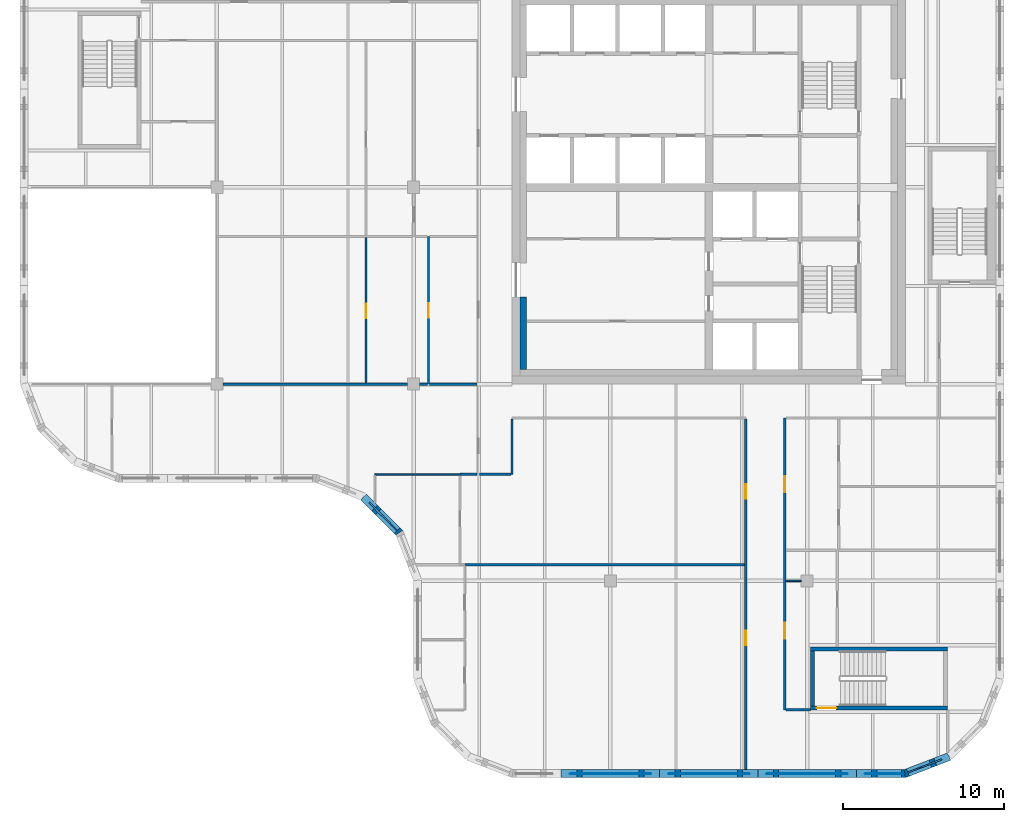
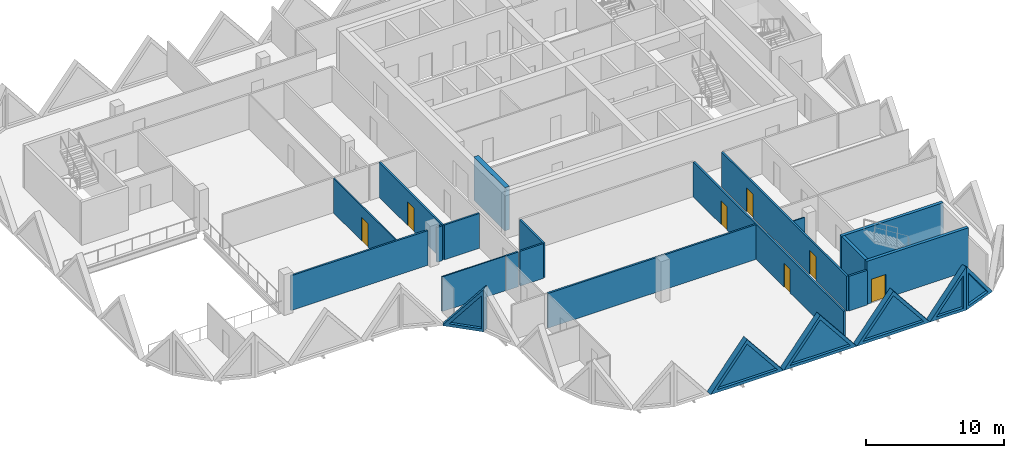
# One storey, part 4 of 11: 24 walls, 7 doors, 6 plates, 13 openings.
"""IFC4 building model written with IfcOpenShell, lengths in metres."""

import ifcopenshell
import ifcopenshell.guid

model = None  # the IFC model being written
_history = None  # IfcOwnerHistory: only IFC2X3 demands one
_inside = {}  # id of a spatial element -> (the spatial element, [elements in it])
_under = {}  # id of a project, library or spatial element -> (it, [spatial elements below it])
_declared = {}  # id of a project -> (the project, [libraries it declares])
_typed = {}  # id of a type object -> (the type object, [elements of that type])
_made_of = {}  # id of a material, layer set ... -> (it, [elements and type objects made of it])


def new_model(schema):
    """Start an empty IFC model of exactly this schema.

    Asked for "IFC4X3", IfcOpenShell would pick the latest addendum, in which some entities
    have other attributes; the version numbers below select the first issue.
    IFC2X3 requires an IfcOwnerHistory on every rooted entity: one is made here for all.
    """
    global model, _history
    if schema == "IFC4X3":
        model = ifcopenshell.file(schema_version=(4, 3, 0, 0))
    else:
        model = ifcopenshell.file(schema=schema)
    _inside.clear()
    _under.clear()
    _declared.clear()
    _typed.clear()
    _made_of.clear()
    _history = None
    if model.schema == "IFC2X3":
        org = make("IfcOrganization", Name="unknown")
        user = make(
            "IfcPersonAndOrganization",
            ThePerson=make("IfcPerson", FamilyName="unknown"),
            TheOrganization=org,
        )
        app = make(
            "IfcApplication",
            ApplicationDeveloper=org,
            Version="unknown",
            ApplicationFullName="unknown",
            ApplicationIdentifier="unknown",
        )
        _history = make(
            "IfcOwnerHistory",
            OwningUser=user,
            OwningApplication=app,
            ChangeAction="ADDED",
            CreationDate=0,
        )
    return model


def make(cls, **values):
    """One entity of the class cls with the attributes given. An attribute that is None is left unset."""
    return model.create_entity(
        cls, **{name: value for name, value in values.items() if value is not None}
    )


def rooted(cls, **values):
    """An entity with a GlobalId (a new one), such as an element, a storey or a relation."""
    return make(cls, GlobalId=ifcopenshell.guid.new(), OwnerHistory=_history, **values)


def si_unit(unit_type, name, prefix=None):
    """IfcSIUnit, for example si_unit("LENGTHUNIT", "METRE", prefix="MILLI")."""
    return make("IfcSIUnit", UnitType=unit_type, Prefix=prefix, Name=name)


def assignment(units):
    """IfcUnitAssignment: the units of a project."""
    return None if units is None else make("IfcUnitAssignment", Units=units)


def point(xyz):
    """IfcCartesianPoint."""
    return None if xyz is None else make("IfcCartesianPoint", Coordinates=xyz)


def direction(xyz):
    """IfcDirection."""
    return None if xyz is None else make("IfcDirection", DirectionRatios=xyz)


def frame(location, z_axis=None, x_axis=None):
    """IfcAxis2Placement3D, a coordinate frame: its origin and axes. An axis left out is left unset."""
    return make(
        "IfcAxis2Placement3D",
        Location=point(location),
        Axis=direction(z_axis),
        RefDirection=direction(x_axis),
    )


def frame_2d(location, x_axis=None):
    """IfcAxis2Placement2D, a coordinate frame in the plane: its origin and x axis."""
    return make(
        "IfcAxis2Placement2D", Location=point(location), RefDirection=direction(x_axis)
    )


def origin():
    """The frame at (0, 0, 0) with its axes left unset."""
    return frame((0.0, 0.0, 0.0))


def place(relative_to, where):
    """IfcLocalPlacement: puts the frame where relative to a parent placement (None: the world)."""
    return make(
        "IfcLocalPlacement", PlacementRelTo=relative_to, RelativePlacement=where
    )


def context(
    kind, dimensions, precision=None, world=None, true_north=None, identifier=None
):
    """IfcGeometricRepresentationContext, for example the 3D "Model" context."""
    return make(
        "IfcGeometricRepresentationContext",
        ContextIdentifier=identifier,
        ContextType=kind,
        CoordinateSpaceDimension=dimensions,
        Precision=precision,
        WorldCoordinateSystem=world,
        TrueNorth=true_north,
    )


def subcontext(parent, identifier, kind, view, scale=None):
    """IfcGeometricRepresentationSubContext, for example "Body" below "Model"."""
    return make(
        "IfcGeometricRepresentationSubContext",
        ContextIdentifier=identifier,
        ContextType=kind,
        ParentContext=parent,
        TargetScale=scale,
        TargetView=view,
    )


def project(units=None, contexts=None):
    """IfcProject with its units and contexts."""
    return rooted(
        "IfcProject",
        Name="project",
        RepresentationContexts=contexts,
        UnitsInContext=assignment(units),
    )


def spatial(cls, under=None, at=None, **own):
    """A site, building, storey or space (cls), placed at a placement, below another one or the project."""
    s = rooted(cls, ObjectPlacement=at, **own)
    if under is not None:
        _under.setdefault(under.id(), (under, []))[1].append(s)
    return s


def polyline(points):
    """IfcPolyline through the points."""
    return make("IfcPolyline", Points=[point(p) for p in points])


def profile(cls, at=None, kind="AREA", **sizes):
    """A parametric profile (cls). Its sizes go by their IFC names, for example OverallWidth=200.0."""
    return make(cls, ProfileType=kind, Position=at, **sizes)


def rectangle(**sizes):
    """IfcRectangleProfileDef."""
    return profile("IfcRectangleProfileDef", **sizes)


def outline(outer, holes=None, kind="AREA"):
    """IfcArbitraryClosedProfileDef: a profile drawn as a closed curve; with holes, ...WithVoids."""
    if holes is None:
        return make("IfcArbitraryClosedProfileDef", ProfileType=kind, OuterCurve=outer)
    return make(
        "IfcArbitraryProfileDefWithVoids",
        ProfileType=kind,
        OuterCurve=outer,
        InnerCurves=holes,
    )


def extrude(swept, where, along, depth):
    """IfcExtrudedAreaSolid: the profile swept, set in the frame where, extruded along a direction by depth."""
    return make(
        "IfcExtrudedAreaSolid",
        SweptArea=swept,
        Position=where,
        ExtrudedDirection=direction(along),
        Depth=depth,
    )


def faces_of(points, faces, orient=None, outer=None):
    """IfcFace entities. A face is a list of loops; a loop is a list of indices into points, from 0.

    orient and outer hold one flag for each loop. By default every Orientation is true, the
    first loop of a face is its IfcFaceOuterBound and the others are IfcFaceBound.
    """
    made = []
    for i, loops in enumerate(faces):
        bounds = []
        for j, loop in enumerate(loops):
            is_outer = j == 0 if outer is None else outer[i][j]
            bounds.append(
                make(
                    "IfcFaceOuterBound" if is_outer else "IfcFaceBound",
                    Bound=make("IfcPolyLoop", Polygon=[points[k] for k in loop]),
                    Orientation=True if orient is None else orient[i][j],
                )
            )
        made.append(make("IfcFace", Bounds=bounds))
    return made


def faceted_brep(points, faces, orient=None, outer=None, voids=None):
    """IfcFacetedBrep: a solid bounded by flat faces; with voids (closed shells), ...WithVoids."""
    shared = [point(p) for p in points]
    hull = make("IfcClosedShell", CfsFaces=faces_of(shared, faces, orient, outer))
    if voids is None:
        return make("IfcFacetedBrep", Outer=hull)
    return make(
        "IfcFacetedBrepWithVoids",
        Outer=hull,
        Voids=[
            make(cls, CfsFaces=faces_of(shared, fs, o, b)) for cls, fs, o, b in voids
        ],
    )


def shape(context_of_items, identifier, shape_type, items):
    """IfcShapeRepresentation: the items that make up one representation, for example the "Body"."""
    return make(
        "IfcShapeRepresentation",
        ContextOfItems=context_of_items,
        RepresentationIdentifier=identifier,
        RepresentationType=shape_type,
        Items=items,
    )


def source(mapping_origin, context_of_items, identifier, shape_type, items):
    """IfcRepresentationMap: a shape defined once, which mapped items show again and again."""
    return make(
        "IfcRepresentationMap",
        MappingOrigin=mapping_origin,
        MappedRepresentation=shape(context_of_items, identifier, shape_type, items),
    )


def transform(
    local_origin,
    x_axis=None,
    y_axis=None,
    z_axis=None,
    scale=None,
    scale2=None,
    scale3=None,
    uniform=True,
):
    """IfcCartesianTransformationOperator3D, or its non-uniform kind. x_axis, y_axis, z_axis: its Axis1, 2, 3."""
    if uniform:
        return make(
            "IfcCartesianTransformationOperator3D",
            Axis1=direction(x_axis),
            Axis2=direction(y_axis),
            LocalOrigin=point(local_origin),
            Scale=scale,
            Axis3=direction(z_axis),
        )
    return make(
        "IfcCartesianTransformationOperator3DnonUniform",
        Axis1=direction(x_axis),
        Axis2=direction(y_axis),
        LocalOrigin=point(local_origin),
        Scale=scale,
        Axis3=direction(z_axis),
        Scale2=scale2,
        Scale3=scale3,
    )


def mapped(mapping_source, mapping_target):
    """IfcMappedItem: shows the shape of a source again, moved by a transform."""
    return make(
        "IfcMappedItem", MappingSource=mapping_source, MappingTarget=mapping_target
    )


def material(Name=None, Category=None):
    """IfcMaterial."""
    return make("IfcMaterial", Name=Name, Category=Category)


def layer(
    of_material, thickness, ventilated=None, Name=None, Category=None, Priority=None
):
    """IfcMaterialLayer: one layer of a wall or slab, of a material (None: an air gap)."""
    return make(
        "IfcMaterialLayer",
        Material=of_material,
        LayerThickness=thickness,
        IsVentilated=ventilated,
        Name=Name,
        Category=Category,
        Priority=Priority,
    )


def layer_set(layers, Name=None):
    """IfcMaterialLayerSet."""
    return make("IfcMaterialLayerSet", MaterialLayers=layers, LayerSetName=Name)


def made_of(thing, what):
    """Note that an element or type object is made of a material, layer set ...; save() writes the relation."""
    if what is not None:
        _made_of.setdefault(what.id(), (what, []))[1].append(thing)
    return thing


def type_object(cls, material=None, **own):
    """A type object (cls), such as IfcWallType, which elements share."""
    return made_of(rooted(cls, **own), material)


def element(
    cls,
    number,
    at=None,
    inside=None,
    cuts=None,
    type_object=None,
    material=None,
    context=None,
    identifier="Body",
    shape_type=None,
    held_by="IfcProductDefinitionShape",
    body=None,
    shapes=None,
    **own,
):
    """One element of the class cls, such as IfcWall. Its Tag is "e" and its number.

    at: its placement. inside: the storey or other place that contains it. cuts: it is an
    opening in that element (IfcRelVoidsElement). A single representation is given by context,
    identifier, shape_type and body (its items); several are given by shapes. held_by: the class
    of the entity that holds the representations. save() writes the other relations.
    """
    e = rooted(cls, Tag="e%d" % number, ObjectPlacement=at, **own)
    if body is not None:
        shapes = [shape(context, identifier, shape_type, body)]
    if shapes is not None:
        e.Representation = make(held_by, Representations=shapes)
    if inside is not None:
        _inside.setdefault(inside.id(), (inside, []))[1].append(e)
    if cuts is not None:
        rooted(
            "IfcRelVoidsElement", RelatingBuildingElement=cuts, RelatedOpeningElement=e
        )
    if type_object is not None:
        _typed.setdefault(type_object.id(), (type_object, []))[1].append(e)
    return made_of(e, material)


def fill(opening, filler):
    """IfcRelFillsElement: the door or window that sits in an opening."""
    return rooted(
        "IfcRelFillsElement",
        RelatingOpeningElement=opening,
        RelatedBuildingElement=filler,
    )


def aggregate(whole, parts):
    """IfcRelAggregates: a whole, such as a stair, and the parts it consists of."""
    return rooted("IfcRelAggregates", RelatingObject=whole, RelatedObjects=parts)


def save(model, path):
    """Write the relations noted so far, then the file.

    IfcRelAggregates (storeys below a building ...), IfcRelContainedInSpatialStructure (elements
    in a storey), IfcRelDefinesByType, IfcRelAssociatesMaterial and IfcRelDeclares: one each for
    every whole, place, type object, material and project.
    """
    for whole, parts in _under.values():
        aggregate(whole, parts)
    for where, things in _inside.values():
        rooted(
            "IfcRelContainedInSpatialStructure",
            RelatedElements=things,
            RelatingStructure=where,
        )
    for kind, things in _typed.values():
        rooted("IfcRelDefinesByType", RelatedObjects=things, RelatingType=kind)
    for what, things in _made_of.values():
        rooted("IfcRelAssociatesMaterial", RelatedObjects=things, RelatingMaterial=what)
    for by, libraries in _declared.values():
        rooted("IfcRelDeclares", RelatingContext=by, RelatedDefinitions=libraries)
    model.write(path)


model = new_model("IFC4")

# Units and contexts
model_context = context("Model", 3, precision=1e-05, world=origin(), true_north=direction((0.0, 1.0)))
body_context = subcontext(model_context, "Body", "Model", "MODEL_VIEW")
ifc_project = project(units=[si_unit("LENGTHUNIT", "METRE"), si_unit("AREAUNIT", "SQUARE_METRE"), si_unit("VOLUMEUNIT", "CUBIC_METRE"), si_unit("PLANEANGLEUNIT", "RADIAN"), si_unit("MASSUNIT", "GRAM", prefix="KILO")], contexts=[model_context])

# Site, building, storey
site_placement = place(None, origin())
site = spatial("IfcSite", under=ifc_project, at=site_placement, CompositionType="ELEMENT")
building_placement = place(site_placement, origin())
building = spatial("IfcBuilding", under=site, at=building_placement, Name="Tessera Gate Towers", CompositionType="ELEMENT")
storey_placement = place(building_placement, frame((0.0, 0.0, 197.89990234375)))
storey = spatial("IfcBuildingStorey", under=building, at=storey_placement, Name="L49", CompositionType="ELEMENT", Elevation=197.89990234375)

# Wall, opening, door
ifc_material_1 = material(Name="Concrete C40/50", Category="concrete")
ifc_layer_1 = layer(ifc_material_1, 0.25)
ifc_layer_set_1 = layer_set([ifc_layer_1], Name="CORE ENCLOSURE WALL 250")
wall_type_1 = type_object("IfcWallType", Name="CORE ENCLOSURE WALL 250", PredefinedType="SOLIDWALL", material=ifc_layer_set_1)
wall_1_placement = place(storey_placement, frame((57.5, 4.324951171875, 0.0), z_axis=(0.0, 0.0, 1.0), x_axis=(-1.0, 0.0, 0.0)))
wall_1 = element("IfcWall", 1, at=wall_1_placement, inside=storey, type_object=wall_type_1, Name="L49 ST4 enclosure wall", PredefinedType="SOLIDWALL", context=body_context, shape_type="SweptSolid", body=[
    extrude(rectangle(XDim=8.5, YDim=0.25, at=frame_2d((4.25, 0.0))), origin(), (0.0, 0.0, 1.0), 3.800048828125),
])
shared_shape_1 = source(origin(), body_context, "Body", "SweptSolid", [
    extrude(rectangle(XDim=1.199951171875, YDim=2.10009765625, at=frame_2d((0.60009765625, 1.050048828125))), frame((0.0, 0.135009765625, 0.0), z_axis=(0.0, -1.0, 0.0), x_axis=(1.0, 0.0, 0.0)), (0.0, 0.0, 1.0), 0.27001953125),
])
opening_1_placement = place(wall_1_placement, frame((6.89990234375, 0.0, 0.0)))
opening_1 = element("IfcOpeningElement", 2, at=opening_1_placement, cuts=wall_1, Name="Opening SD-ST4-1", PredefinedType="OPENING", context=body_context, shape_type="MappedRepresentation", body=[
    mapped(shared_shape_1, transform((0.0, 0.0, 0.0), scale=1.0)),
])
ifc_material_2 = material(Name="Hollow steel fire door", Category="steel")
door_type_1 = type_object("IfcDoorType", Name="CORE DOOR SD 1200x2100", OperationType="NOTDEFINED", PredefinedType="DOOR", material=ifc_material_2)
shared_shape_2 = source(origin(), body_context, "Body", "SweptSolid", [
    extrude(rectangle(XDim=1.199951171875, YDim=2.10009765625, at=frame_2d((0.60009765625, 1.050048828125))), frame((0.0, 0.02490234375, 0.0), z_axis=(0.0, -1.0, 0.0), x_axis=(1.0, 0.0, 0.0)), (0.0, 0.0, 1.0), 0.050048828125),
])
door_1_placement = place(opening_1_placement, origin())
door_1 = element("IfcDoor", 3, at=door_1_placement, inside=storey, type_object=door_type_1, Name="Stair door", OperationType="SINGLE_SWING_RIGHT", OverallHeight=2.10009765625, OverallWidth=1.199951171875, PredefinedType="DOOR", context=body_context, shape_type="MappedRepresentation", body=[
    mapped(shared_shape_2, transform((0.0, 0.0, 0.0), scale=1.0)),
])
fill(opening_1, door_1)

# Walls
wall_2_placement = place(storey_placement, frame((49.125, 4.449951171875, 0.0), z_axis=(0.0, 0.0, 1.0), x_axis=(0.0, 1.0, 0.0)))
element("IfcWall", 4, at=wall_2_placement, inside=storey, type_object=wall_type_1, Name="L49 ST4 enclosure wall", PredefinedType="SOLIDWALL", context=body_context, shape_type="SweptSolid", body=[
    extrude(rectangle(XDim=3.400146484375, YDim=0.25, at=frame_2d((1.7001953125, 0.0))), origin(), (0.0, 0.0, 1.0), 3.800048828125),
])
wall_3_placement = place(storey_placement, frame((49.0, 7.97509765625, 0.0), z_axis=(0.0, 0.0, 1.0), x_axis=(1.0, 0.0, 0.0)))
element("IfcWall", 5, at=wall_3_placement, inside=storey, type_object=wall_type_1, Name="L49 ST4 enclosure wall", PredefinedType="SOLIDWALL", context=body_context, shape_type="SweptSolid", body=[
    extrude(rectangle(XDim=8.5, YDim=0.25, at=frame_2d((4.25, 0.0))), origin(), (0.0, 0.0, 1.0), 3.800048828125),
])
ifc_material_3 = material(Name="Concrete C50/60", Category="concrete")
ifc_layer_2 = layer(ifc_material_3, 0.39990234375)
ifc_layer_set_2 = layer_set([ifc_layer_2], Name="CORE WALL THICKENING 400")
wall_type_2 = type_object("IfcWallType", Name="CORE WALL THICKENING 400", PredefinedType="SOLIDWALL", material=ifc_layer_set_2)
wall_4_placement = place(storey_placement, frame((31.199951171875, 25.300048828125, 0.0), z_axis=(0.0, 0.0, 1.0), x_axis=(0.0, 1.0, 0.0)))
element("IfcWall", 6, at=wall_4_placement, inside=storey, type_object=wall_type_2, Name="Core wall thickening W L49", PredefinedType="SOLIDWALL", context=body_context, shape_type="SweptSolid", body=[
    extrude(rectangle(XDim=4.5, YDim=0.39990234375, at=frame_2d((2.25, 0.0))), origin(), (0.0, 0.0, 1.0), 3.800048828125),
])

# Wall, openings, doors
ifc_material_4 = material(Name="Gypsum board on steel studs, mineral wool", Category="steel")
ifc_layer_3 = layer(ifc_material_4, 0.14990234375)
ifc_layer_set_3 = layer_set([ifc_layer_3], Name="CORRIDOR WALL 150")
wall_type_3 = type_object("IfcWallType", Name="CORRIDOR WALL 150", PredefinedType="PARTITIONING", material=ifc_layer_set_3)
wall_5_placement = place(storey_placement, frame((45.0, 0.5, 0.0), z_axis=(0.0, 0.0, 1.0), x_axis=(0.0, 1.0, 0.0)))
wall_5 = element("IfcWall", 7, at=wall_5_placement, inside=storey, type_object=wall_type_3, Name="T1-L49-PW-001", PredefinedType="PARTITIONING", context=body_context, shape_type="SweptSolid", body=[
    extrude(rectangle(XDim=21.72412109375, YDim=0.14990234375, at=frame_2d((10.862060546875, 0.0))), origin(), (0.0, 0.0, 1.0), 3.067138671875),
])
shared_shape_3 = source(origin(), body_context, "Body", "SweptSolid", [
    extrude(rectangle(XDim=0.89990234375, YDim=2.10009765625, at=frame_2d((0.449951171875, 1.050048828125))), frame((0.0, 0.0849609375, 0.0), z_axis=(0.0, -1.0, 0.0), x_axis=(1.0, 0.0, 0.0)), (0.0, 0.0, 1.0), 0.169921875),
])
opening_2_placement = place(wall_5_placement, frame((7.699951171875, 0.0, 0.0)))
opening_2 = element("IfcOpeningElement", 8, at=opening_2_placement, cuts=wall_5, Name="Opening D890FD60-A18-03", PredefinedType="OPENING", context=body_context, shape_type="MappedRepresentation", body=[
    mapped(shared_shape_3, transform((0.0, 0.0, 0.0), scale=1.0)),
])
opening_3_placement = place(wall_5_placement, frame((16.800048828125, 0.0, 0.0)))
opening_3 = element("IfcOpeningElement", 9, at=opening_3_placement, cuts=wall_5, Name="Opening D890FD60-A18-04", PredefinedType="OPENING", context=body_context, shape_type="MappedRepresentation", body=[
    mapped(shared_shape_3, transform((0.0, 0.0, 0.0), scale=1.0)),
])
ifc_material_5 = material(Name="Timber door leaf in steel frame", Category="steel")
door_type_2 = type_object("IfcDoorType", Name="CORRIDOR DOOR 900 FD60", OperationType="NOTDEFINED", PredefinedType="DOOR", material=ifc_material_5)
shared_shape_4 = source(origin(), body_context, "Body", "SweptSolid", [
    extrude(rectangle(XDim=0.89990234375, YDim=2.10009765625, at=frame_2d((0.449951171875, 1.050048828125))), frame((0.0, 0.02490234375, 0.0), z_axis=(0.0, -1.0, 0.0), x_axis=(1.0, 0.0, 0.0)), (0.0, 0.0, 1.0), 0.050048828125),
])
door_2_placement = place(opening_2_placement, origin())
door_2 = element("IfcDoor", 10, at=door_2_placement, inside=storey, type_object=door_type_2, Name="T1-L49-PD-015", OperationType="SINGLE_SWING_LEFT", OverallHeight=2.10009765625, OverallWidth=0.89990234375, PredefinedType="DOOR", context=body_context, shape_type="MappedRepresentation", body=[
    mapped(shared_shape_4, transform((0.0, 0.0, 0.0), scale=1.0)),
])
fill(opening_2, door_2)
door_3_placement = place(opening_3_placement, origin())
door_3 = element("IfcDoor", 11, at=door_3_placement, inside=storey, type_object=door_type_2, Name="T1-L49-PD-016", OperationType="SINGLE_SWING_LEFT", OverallHeight=2.10009765625, OverallWidth=0.89990234375, PredefinedType="DOOR", context=body_context, shape_type="MappedRepresentation", body=[
    mapped(shared_shape_4, transform((0.0, 0.0, 0.0), scale=1.0)),
])
fill(opening_3, door_3)

wall_6_placement = place(storey_placement, frame((47.39990234375, 22.300048828125, 0.0), z_axis=(0.0, 0.0, 1.0), x_axis=(0.0, -1.0, 0.0)))
wall_6 = element("IfcWall", 12, at=wall_6_placement, inside=storey, type_object=wall_type_3, Name="T1-L49-PW-005", PredefinedType="PARTITIONING", context=body_context, shape_type="SweptSolid", body=[
    extrude(rectangle(XDim=18.10009765625, YDim=0.14990234375, at=frame_2d((9.050048828125, 0.0))), origin(), (0.0, 0.0, 1.0), 3.067138671875),
])
shared_shape_5 = source(origin(), body_context, "Body", "SweptSolid", [
    extrude(rectangle(XDim=1.0, YDim=2.10009765625, at=frame_2d((0.5, 1.050048828125))), frame((0.0, 0.0849609375, 0.0), z_axis=(0.0, -1.0, 0.0), x_axis=(1.0, 0.0, 0.0)), (0.0, 0.0, 1.0), 0.169921875),
])
opening_4_placement = place(wall_6_placement, frame((3.59912109375, 0.0, 0.0)))
opening_4 = element("IfcOpeningElement", 13, at=opening_4_placement, cuts=wall_6, Name="Opening D2100FD60-A18-02", PredefinedType="OPENING", context=body_context, shape_type="MappedRepresentation", body=[
    mapped(shared_shape_5, transform((0.0, 0.0, 0.0), scale=1.0)),
])
opening_5_placement = place(wall_6_placement, frame((12.699951171875, 0.0, 0.0)))
opening_5 = element("IfcOpeningElement", 14, at=opening_5_placement, cuts=wall_6, Name="Opening D2100FD60-A18-05", PredefinedType="OPENING", context=body_context, shape_type="MappedRepresentation", body=[
    mapped(shared_shape_5, transform((0.0, 0.0, 0.0), scale=1.0)),
])
ifc_material_6 = material(Name="Timber door leaf in steel frame", Category="steel")
door_type_3 = type_object("IfcDoorType", Name="TENANCY ENTRANCE DOOR 1000 FD60", OperationType="NOTDEFINED", PredefinedType="DOOR", material=ifc_material_6)
shared_shape_6 = source(origin(), body_context, "Body", "SweptSolid", [
    extrude(rectangle(XDim=1.0, YDim=2.10009765625, at=frame_2d((0.5, 1.050048828125))), frame((0.0, 0.02490234375, 0.0), z_axis=(0.0, -1.0, 0.0), x_axis=(1.0, 0.0, 0.0)), (0.0, 0.0, 1.0), 0.050048828125),
])
door_4_placement = place(opening_4_placement, origin())
door_4 = element("IfcDoor", 15, at=door_4_placement, inside=storey, type_object=door_type_3, Name="T1-L49-PD-011", OperationType="SINGLE_SWING_RIGHT", OverallHeight=2.10009765625, OverallWidth=1.0, PredefinedType="DOOR", context=body_context, shape_type="MappedRepresentation", body=[
    mapped(shared_shape_6, transform((0.0, 0.0, 0.0), scale=1.0)),
])
fill(opening_4, door_4)
door_5_placement = place(opening_5_placement, origin())
door_5 = element("IfcDoor", 16, at=door_5_placement, inside=storey, type_object=door_type_3, Name="T1-L49-PD-021", OperationType="SINGLE_SWING_RIGHT", OverallHeight=2.10009765625, OverallWidth=1.0, PredefinedType="DOOR", context=body_context, shape_type="MappedRepresentation", body=[
    mapped(shared_shape_6, transform((0.0, 0.0, 0.0), scale=1.0)),
])
fill(opening_5, door_5)

# Walls
wall_7_placement = place(storey_placement, frame((47.47607421875, 4.199951171875, 0.0), z_axis=(0.0, 0.0, 1.0), x_axis=(1.0, 0.0, 0.0)))
element("IfcWall", 17, at=wall_7_placement, inside=storey, type_object=wall_type_3, Name="T1-L49-PW-006", PredefinedType="PARTITIONING", context=body_context, shape_type="SweptSolid", body=[
    extrude(rectangle(XDim=1.52392578125, YDim=0.14990234375, at=frame_2d((0.761962890625, 0.0))), origin(), (0.0, 0.0, 1.0), 3.067138671875),
])
wall_8_placement = place(storey_placement, frame((28.47607421875, 18.800048828125, 0.0), z_axis=(0.0, 0.0, 1.0), x_axis=(1.0, 0.0, 0.0)))
element("IfcWall", 18, at=wall_8_placement, inside=storey, type_object=wall_type_3, Name="T1-L49-PW-023", PredefinedType="PARTITIONING", context=body_context, shape_type="SweptSolid", body=[
    extrude(rectangle(XDim=1.947998046875, YDim=0.14990234375, at=frame_2d((0.97412109375, 0.0))), origin(), (0.0, 0.0, 1.0), 3.067138671875),
])
wall_9_placement = place(storey_placement, frame((30.5, 18.800048828125, 0.0), z_axis=(0.0, 0.0, 1.0), x_axis=(0.0, 1.0, 0.0)))
element("IfcWall", 19, at=wall_9_placement, inside=storey, type_object=wall_type_3, Name="T1-L49-PW-024", PredefinedType="PARTITIONING", context=body_context, shape_type="SweptSolid", body=[
    extrude(rectangle(XDim=3.424072265625, YDim=0.14990234375, at=frame_2d((1.7119140625, 0.0))), origin(), (0.0, 0.0, 1.0), 3.067138671875),
])
ifc_material_7 = material(Name="Glass", Category="glass")
ifc_layer_4 = layer(ifc_material_7, 0.10009765625)
ifc_layer_set_4 = layer_set([ifc_layer_4], Name="GLAZED PARTITION 100")
wall_type_4 = type_object("IfcWallType", Name="GLAZED PARTITION 100", PredefinedType="PARTITIONING", material=ifc_layer_set_4)
wall_10_placement = place(storey_placement, frame((22.0, 18.800048828125, 0.0), z_axis=(0.0, 0.0, 1.0), x_axis=(1.0, 0.0, 0.0)))
element("IfcWall", 20, at=wall_10_placement, inside=storey, type_object=wall_type_4, Name="T1-L49-PW-020", PredefinedType="PARTITIONING", context=body_context, shape_type="SweptSolid", body=[
    extrude(rectangle(XDim=5.27392578125, YDim=0.10009765625, at=frame_2d((2.636962890625, 0.0))), origin(), (0.0, 0.0, 1.0), 3.067138671875),
])
ifc_material_8 = material(Name="Gypsum board on steel studs", Category="steel")
ifc_layer_5 = layer(ifc_material_8, 0.10009765625)
ifc_layer_set_5 = layer_set([ifc_layer_5], Name="PARTITION 100")
wall_type_5 = type_object("IfcWallType", Name="PARTITION 100", PredefinedType="PARTITIONING", material=ifc_layer_set_5)
wall_11_placement = place(storey_placement, frame((48.425048828125, 12.199951171875, 0.0), z_axis=(0.0, 0.0, 1.0), x_axis=(-1.0, 0.0, 0.0)))
element("IfcWall", 21, at=wall_11_placement, inside=storey, type_object=wall_type_5, Name="T1-L49-PW-010", PredefinedType="PARTITIONING", context=body_context, shape_type="SweptSolid", body=[
    extrude(rectangle(XDim=0.949951171875, YDim=0.10009765625, at=frame_2d((0.47509765625, 0.0))), origin(), (0.0, 0.0, 1.0), 3.067138671875),
])

# Wall, opening, door
wall_12_placement = place(storey_placement, frame((21.449951171875, 24.47607421875, 0.0), z_axis=(0.0, 0.0, 1.0), x_axis=(0.0, 1.0, 0.0)))
wall_12 = element("IfcWall", 22, at=wall_12_placement, inside=storey, type_object=wall_type_5, Name="T1-L49-PW-034", PredefinedType="PARTITIONING", context=body_context, shape_type="SweptSolid", body=[
    extrude(rectangle(XDim=8.998046875, YDim=0.10009765625, at=frame_2d((4.4990234375, 0.0))), origin(), (0.0, 0.0, 1.0), 3.067138671875),
])
shared_shape_7 = source(origin(), body_context, "Body", "SweptSolid", [
    extrude(rectangle(XDim=0.89990234375, YDim=2.10009765625, at=frame_2d((0.449951171875, 1.050048828125))), frame((0.0, 0.06005859375, 0.0), z_axis=(0.0, -1.0, 0.0), x_axis=(1.0, 0.0, 0.0)), (0.0, 0.0, 1.0), 0.1201171875),
])
opening_6_placement = place(wall_12_placement, frame((4.0, 0.0, 0.0)))
opening_6 = element("IfcOpeningElement", 23, at=opening_6_placement, cuts=wall_12, Name="Opening D190-A18-05", PredefinedType="OPENING", context=body_context, shape_type="MappedRepresentation", body=[
    mapped(shared_shape_7, transform((0.0, 0.0, 0.0), scale=1.0)),
])
ifc_material_9 = material(Name="Timber door leaf in steel frame", Category="steel")
door_type_4 = type_object("IfcDoorType", Name="INTERNAL DOOR 900 NOT RATED", OperationType="NOTDEFINED", PredefinedType="DOOR", material=ifc_material_9)
door_6_placement = place(opening_6_placement, origin())
door_6 = element("IfcDoor", 24, at=door_6_placement, inside=storey, type_object=door_type_4, Name="T1-L49-PD-014", OperationType="SINGLE_SWING_LEFT", OverallHeight=2.10009765625, OverallWidth=0.89990234375, PredefinedType="DOOR", context=body_context, shape_type="MappedRepresentation", body=[
    mapped(shared_shape_4, transform((0.0, 0.0, 0.0), scale=1.0)),
])
fill(opening_6, door_6)

# Walls
ifc_material_10 = material(Name="Gypsum board on steel studs, mineral wool", Category="steel")
ifc_layer_6 = layer(ifc_material_10, 0.14990234375)
ifc_layer_set_6 = layer_set([ifc_layer_6], Name="TENANCY WALL 150")
wall_type_6 = type_object("IfcWallType", Name="TENANCY WALL 150", PredefinedType="PARTITIONING", material=ifc_layer_set_6)
wall_13_placement = place(storey_placement, frame((27.574951171875, 13.199951171875, 0.0), z_axis=(0.0, 0.0, 1.0), x_axis=(1.0, 0.0, 0.0)))
element("IfcWall", 25, at=wall_13_placement, inside=storey, type_object=wall_type_6, Name="T1-L49-PW-013", PredefinedType="PARTITIONING", context=body_context, shape_type="SweptSolid", body=[
    extrude(rectangle(XDim=17.34912109375, YDim=0.14990234375, at=frame_2d((8.674560546875, 0.0))), origin(), (0.0, 0.0, 1.0), 3.067138671875),
])
wall_14_placement = place(storey_placement, frame((27.27490234375, 18.800048828125, 0.0), z_axis=(0.0, 0.0, 1.0), x_axis=(1.0, 0.0, 0.0)))
element("IfcWall", 26, at=wall_14_placement, inside=storey, type_object=wall_type_6, Name="T1-L49-PW-021", PredefinedType="PARTITIONING", context=body_context, shape_type="SweptSolid", body=[
    extrude(rectangle(XDim=1.049072265625, YDim=0.14990234375, at=frame_2d((0.5244140625, 0.0))), origin(), (0.0, 0.0, 1.0), 3.067138671875),
])
wall_15_placement = place(storey_placement, frame((12.575927734375, 24.39990234375, 0.0), z_axis=(0.0, 0.0, 1.0), x_axis=(1.0, 0.0, 0.0)))
element("IfcWall", 27, at=wall_15_placement, inside=storey, type_object=wall_type_6, Name="T1-L49-PW-030", PredefinedType="PARTITIONING", context=body_context, shape_type="SweptSolid", body=[
    extrude(rectangle(XDim=11.447998046875, YDim=0.14990234375, at=frame_2d((5.72412109375, 0.0))), origin(), (0.0, 0.0, 1.0), 3.067138671875),
])
wall_16_placement = place(storey_placement, frame((24.77587890625, 24.39990234375, 0.0), z_axis=(0.0, 0.0, 1.0), x_axis=(1.0, 0.0, 0.0)))
element("IfcWall", 28, at=wall_16_placement, inside=storey, type_object=wall_type_6, Name="T1-L49-PW-031", PredefinedType="PARTITIONING", context=body_context, shape_type="SweptSolid", body=[
    extrude(rectangle(XDim=0.47314453125, YDim=0.14990234375, at=frame_2d((0.236572265625, 0.0))), origin(), (0.0, 0.0, 1.0), 3.067138671875),
])

# Wall, opening, door
wall_17_placement = place(storey_placement, frame((25.324951171875, 24.39990234375, 0.0), z_axis=(0.0, 0.0, 1.0), x_axis=(0.0, 1.0, 0.0)))
wall_17 = element("IfcWall", 29, at=wall_17_placement, inside=storey, type_object=wall_type_6, Name="T1-L49-PW-032", PredefinedType="PARTITIONING", context=body_context, shape_type="SweptSolid", body=[
    extrude(rectangle(XDim=9.150146484375, YDim=0.14990234375, at=frame_2d((4.5751953125, 0.0))), origin(), (0.0, 0.0, 1.0), 3.067138671875),
])
opening_7_placement = place(wall_17_placement, frame((4.10009765625, 0.0, 0.0)))
opening_7 = element("IfcOpeningElement", 30, at=opening_7_placement, cuts=wall_17, Name="Opening D190-A18-06", PredefinedType="OPENING", context=body_context, shape_type="MappedRepresentation", body=[
    mapped(shared_shape_3, transform((0.0, 0.0, 0.0), scale=1.0)),
])
door_7_placement = place(opening_7_placement, origin())
door_7 = element("IfcDoor", 31, at=door_7_placement, inside=storey, type_object=door_type_4, Name="T1-L49-PD-020", OperationType="SINGLE_SWING_LEFT", OverallHeight=2.10009765625, OverallWidth=0.89990234375, PredefinedType="DOOR", context=body_context, shape_type="MappedRepresentation", body=[
    mapped(shared_shape_4, transform((0.0, 0.0, 0.0), scale=1.0)),
])
fill(opening_7, door_7)

# Wall
wall_18_placement = place(storey_placement, frame((25.40087890625, 24.39990234375, 0.0), z_axis=(0.0, 0.0, 1.0), x_axis=(1.0, 0.0, 0.0)))
element("IfcWall", 32, at=wall_18_placement, inside=storey, type_object=wall_type_6, Name="T1-L49-PW-033", PredefinedType="PARTITIONING", context=body_context, shape_type="SweptSolid", body=[
    extrude(rectangle(XDim=2.923095703125, YDim=0.14990234375, at=frame_2d((1.46142578125, 0.0))), origin(), (0.0, 0.0, 1.0), 3.067138671875),
])

# Wall, opening, plate
ifc_material_11 = material(Name="Precast concrete C60/75 white", Category="concrete")
ifc_layer_7 = layer(ifc_material_11, 0.5)
ifc_layer_set_7 = layer_set([ifc_layer_7], Name="TS2 half tessera")
wall_type_7 = type_object("IfcWallType", Name="TS2 half tessera", PredefinedType="SOLIDWALL", material=ifc_layer_set_7)
shared_shape_8 = source(origin(), body_context, "Body", "Brep", [
    faceted_brep([(6.099853515625, -0.25, 0.000244140625), (3.050048828125, -0.25, 3.800048828125), (0.0, -0.25, 0.0), (6.099853515625, -0.25, 0.0), (0.0, 0.25, 0.0), (3.050048828125, 0.25, 3.800048828125), (6.099853515625, 0.25, 0.000244140625), (6.099853515625, 0.25, 0.0)], [[[0, 1, 2, 3]], [[4, 5, 6, 7]], [[6, 5, 1, 0]], [[5, 4, 2, 1]], [[4, 7, 3, 2]], [[3, 7, 6, 0]]]),
])
wall_19_placement = place(storey_placement, frame((33.550048828125, 0.25, 0.0), z_axis=(0.0, 0.0, 1.0), x_axis=(1.0, 0.0, 0.0)))
wall_19 = element("IfcWall", 33, at=wall_19_placement, inside=storey, type_object=wall_type_7, Name="Precast half tessera T1 TS2-0230", PredefinedType="SOLIDWALL", context=body_context, shape_type="MappedRepresentation", body=[
    mapped(shared_shape_8, transform((0.0, 0.0, 0.0), scale=1.0)),
])
shared_shape_9 = source(origin(), body_context, "Body", "SweptSolid", [
    extrude(outline(polyline([(5.578857421875, 0.25), (3.050048828125, 3.400634765625), (0.521240234375, 0.25), (5.578857421875, 0.25)])), frame((0.0, 0.260009765625, 0.0), z_axis=(0.0, -1.0, 0.0), x_axis=(1.0, 0.0, 0.0)), (0.0, 0.0, 1.0), 0.52001953125),
])
opening_8_placement = place(wall_19_placement, origin())
opening_8 = element("IfcOpeningElement", 34, at=opening_8_placement, cuts=wall_19, Name="Opening T1-PL1-0472", PredefinedType="OPENING", context=body_context, shape_type="MappedRepresentation", body=[
    mapped(shared_shape_9, transform((0.0, 0.0, 0.0), scale=1.0)),
])
ifc_material_12 = material(Name="Low-e laminated glass", Category="glass")
ifc_layer_8 = layer(ifc_material_12, 0.06005859375)
ifc_layer_set_8 = layer_set([ifc_layer_8], Name="PL1 triangular pane")
plate_type = type_object("IfcPlateType", Name="PL1 triangular pane", PredefinedType="SHEET", material=ifc_layer_set_8)
shared_shape_10 = source(origin(), body_context, "Body", "SweptSolid", [
    extrude(outline(polyline([(5.578857421875, 0.25), (3.050048828125, 3.400634765625), (0.521240234375, 0.25), (5.578857421875, 0.25)])), frame((0.0, 0.030029296875, 0.0), z_axis=(0.0, -1.0, 0.0), x_axis=(1.0, 0.0, 0.0)), (0.0, 0.0, 1.0), 0.06005859375),
])
plate_1_placement = place(opening_8_placement, origin())
plate_1 = element("IfcPlate", 35, at=plate_1_placement, inside=storey, type_object=plate_type, Name="Glass pane T1 PL1-0472", PredefinedType="SHEET", context=body_context, shape_type="MappedRepresentation", body=[
    mapped(shared_shape_10, transform((0.0, 0.0, 0.0), scale=1.0)),
])
fill(opening_8, plate_1)

shared_shape_11 = source(origin(), body_context, "Body", "SweptSolid", [
    extrude(outline(polyline([(6.10009765625, 0.0), (3.050048828125, 3.800048828125), (0.0, 0.0), (6.10009765625, 0.0)])), frame((0.0, 0.25, 0.0), z_axis=(0.0, -1.0, 0.0), x_axis=(1.0, 0.0, 0.0)), (0.0, 0.0, 1.0), 0.5),
])
wall_20_placement = place(storey_placement, frame((39.64990234375, 0.25, 0.0), z_axis=(0.0, 0.0, 1.0), x_axis=(1.0, 0.0, 0.0)))
wall_20 = element("IfcWall", 36, at=wall_20_placement, inside=storey, type_object=wall_type_7, Name="Precast half tessera T1 TS2-0231", PredefinedType="SOLIDWALL", context=body_context, shape_type="MappedRepresentation", body=[
    mapped(shared_shape_11, transform((0.0, 0.0, 0.0), scale=1.0)),
])
opening_9_placement = place(wall_20_placement, origin())
opening_9 = element("IfcOpeningElement", 37, at=opening_9_placement, cuts=wall_20, Name="Opening T1-PL1-0473", PredefinedType="OPENING", context=body_context, shape_type="MappedRepresentation", body=[
    mapped(shared_shape_9, transform((0.0, 0.0, 0.0), scale=1.0)),
])
plate_2_placement = place(opening_9_placement, origin())
plate_2 = element("IfcPlate", 38, at=plate_2_placement, inside=storey, type_object=plate_type, Name="Glass pane T1 PL1-0473", PredefinedType="SHEET", context=body_context, shape_type="MappedRepresentation", body=[
    mapped(shared_shape_10, transform((0.0, 0.0, 0.0), scale=1.0)),
])
fill(opening_9, plate_2)

wall_21_placement = place(storey_placement, frame((45.75, 0.25, 0.0), z_axis=(0.0, 0.0, 1.0), x_axis=(1.0, 0.0, 0.0)))
wall_21 = element("IfcWall", 39, at=wall_21_placement, inside=storey, type_object=wall_type_7, Name="Precast half tessera T1 TS2-0232", PredefinedType="SOLIDWALL", context=body_context, shape_type="MappedRepresentation", body=[
    mapped(shared_shape_11, transform((0.0, 0.0, 0.0), scale=1.0)),
])
opening_10_placement = place(wall_21_placement, origin())
opening_10 = element("IfcOpeningElement", 40, at=opening_10_placement, cuts=wall_21, Name="Opening T1-PL1-0474", PredefinedType="OPENING", context=body_context, shape_type="MappedRepresentation", body=[
    mapped(shared_shape_9, transform((0.0, 0.0, 0.0), scale=1.0)),
])
plate_3_placement = place(opening_10_placement, origin())
plate_3 = element("IfcPlate", 41, at=plate_3_placement, inside=storey, type_object=plate_type, Name="Glass pane T1 PL1-0474", PredefinedType="SHEET", context=body_context, shape_type="MappedRepresentation", body=[
    mapped(shared_shape_10, transform((0.0, 0.0, 0.0), scale=1.0)),
])
fill(opening_10, plate_3)

ifc_material_13 = material(Name="Precast concrete C60/75 white", Category="concrete")
ifc_layer_9 = layer(ifc_material_13, 0.5)
ifc_layer_set_9 = layer_set([ifc_layer_9], Name="TS3 corner tessera")
wall_type_8 = type_object("IfcWallType", Name="TS3 corner tessera", PredefinedType="SOLIDWALL", material=ifc_layer_set_9)
shared_shape_12 = source(origin(), body_context, "Body", "Brep", [
    faceted_brep([(3.050048828125, -0.25, 3.739990234375), (3.00341796875, -0.25, 3.800048828125), (0.0, -0.25, 0.0), (3.050048828125, -0.25, 0.0), (0.0, 0.25, 0.0), (2.956787109375, 0.25, 3.7412109375), (2.956787109375, 0.25, 0.0), (3.00341796875, 0.000244140625, 3.800048828125)], [[[0, 1, 2, 3]], [[4, 5, 6]], [[7, 1, 0]], [[5, 4, 2, 1, 7]], [[4, 6, 3, 2]], [[3, 6, 5, 7, 0]]]),
])
wall_22_placement = place(storey_placement, frame((51.85009765625, 0.25, 0.0), z_axis=(0.0, 0.0, 1.0), x_axis=(1.0, 0.0, 0.0)))
wall_22 = element("IfcWall", 42, at=wall_22_placement, inside=storey, type_object=wall_type_8, Name="Precast corner tessera T1 TS3-1131", PredefinedType="SOLIDWALL", context=body_context, shape_type="MappedRepresentation", body=[
    mapped(shared_shape_12, transform((0.0, 0.0, 0.0), scale=1.0)),
])
shared_shape_13 = source(origin(), body_context, "Body", "SweptSolid", [
    extrude(outline(polyline([(2.803466796875, 3.143798828125), (0.516357421875, 0.25), (2.803466796875, 0.25), (2.803466796875, 3.143798828125)])), frame((0.0, 0.260009765625, 0.0), z_axis=(0.0, -1.0, 0.0), x_axis=(1.0, 0.0, 0.0)), (0.0, 0.0, 1.0), 0.52001953125),
])
opening_11_placement = place(wall_22_placement, origin())
opening_11 = element("IfcOpeningElement", 43, at=opening_11_placement, cuts=wall_22, Name="Opening T1-PL1-0475", PredefinedType="OPENING", context=body_context, shape_type="MappedRepresentation", body=[
    mapped(shared_shape_13, transform((0.0, 0.0, 0.0), scale=1.0)),
])
shared_shape_14 = source(origin(), body_context, "Body", "SweptSolid", [
    extrude(outline(polyline([(2.803466796875, 3.143798828125), (0.516357421875, 0.25), (2.803466796875, 0.25), (2.803466796875, 3.143798828125)])), frame((0.0, 0.030029296875, 0.0), z_axis=(0.0, -1.0, 0.0), x_axis=(1.0, 0.0, 0.0)), (0.0, 0.0, 1.0), 0.06005859375),
])
plate_4_placement = place(opening_11_placement, origin())
plate_4 = element("IfcPlate", 44, at=plate_4_placement, inside=storey, type_object=plate_type, Name="Glass pane T1 PL1-0475", PredefinedType="SHEET", context=body_context, shape_type="MappedRepresentation", body=[
    mapped(shared_shape_14, transform((0.0, 0.0, 0.0), scale=1.0)),
])
fill(opening_11, plate_4)

shared_shape_15 = source(origin(), body_context, "Body", "Brep", [
    faceted_brep([(2.9970703125, -0.25, 0.0), (0.046630859375, -0.25, 3.800048828125), (0.0, -0.25, 3.7412109375), (0.0, -0.25, 0.0), (0.09326171875, 0.25, 3.739990234375), (2.9443359375, 0.25, 0.068115234375), (2.9443359375, 0.25, 0.0), (0.09326171875, 0.25, 0.0), (0.046630859375, 0.0, 3.800048828125), (2.9970703125, 0.00048828125, 0.0)], [[[0, 1, 2, 3]], [[4, 5, 6, 7]], [[5, 4, 8, 1, 0, 9]], [[2, 1, 8]], [[7, 6, 9, 0, 3]], [[7, 3, 2, 8, 4]], [[9, 6, 5]]]),
])
wall_23_placement = place(storey_placement, frame((54.81005859375, 0.233154296875, 0.0), z_axis=(0.0, 0.0, 1.0), x_axis=(0.932990326376, 0.359901446078, 0.0)))
wall_23 = element("IfcWall", 45, at=wall_23_placement, inside=storey, type_object=wall_type_8, Name="Precast corner tessera T1 TS3-1132", PredefinedType="SOLIDWALL", context=body_context, shape_type="MappedRepresentation", body=[
    mapped(shared_shape_15, transform((0.0, 0.0, 0.0), scale=1.0)),
])
shared_shape_16 = source(origin(), body_context, "Body", "SweptSolid", [
    extrude(outline(polyline([(2.486572265625, 0.25), (0.24658203125, 3.134765625), (0.24658203125, 0.25), (2.486572265625, 0.25)])), frame((0.0, 0.260009765625, 0.0), z_axis=(0.0, -1.0, 0.0), x_axis=(1.0, 0.0, 0.0)), (0.0, 0.0, 1.0), 0.52001953125),
])
opening_12_placement = place(wall_23_placement, origin())
opening_12 = element("IfcOpeningElement", 46, at=opening_12_placement, cuts=wall_23, Name="Opening T1-PL1-0476", PredefinedType="OPENING", context=body_context, shape_type="MappedRepresentation", body=[
    mapped(shared_shape_16, transform((0.0, 0.0, 0.0), scale=1.0)),
])
shared_shape_17 = source(origin(), body_context, "Body", "SweptSolid", [
    extrude(outline(polyline([(2.486572265625, 0.25), (0.24658203125, 3.134765625), (0.24658203125, 0.25), (2.486572265625, 0.25)])), frame((0.0, 0.030029296875, 0.0), z_axis=(0.0, -1.0, 0.0), x_axis=(1.0, 0.0, 0.0)), (0.0, 0.0, 1.0), 0.06005859375),
])
plate_5_placement = place(opening_12_placement, origin())
plate_5 = element("IfcPlate", 47, at=plate_5_placement, inside=storey, type_object=plate_type, Name="Glass pane T1 PL1-0476", PredefinedType="SHEET", context=body_context, shape_type="MappedRepresentation", body=[
    mapped(shared_shape_17, transform((0.0, 0.0, 0.0), scale=1.0)),
])
fill(opening_12, plate_5)

shared_shape_18 = source(origin(), body_context, "Body", "Brep", [
    faceted_brep([(3.10302734375, -0.25, 3.736328125), (0.052978515625, -0.25, 0.063720703125), (0.052978515625, -0.25, 0.0), (3.10302734375, -0.25, 0.0), (0.0, 0.25, 0.0), (3.15576171875, 0.25, 3.800048828125), (3.208740234375, 0.25, 3.736083984375), (3.208740234375, 0.25, 0.0), (3.15576171875, -0.00048828125, 3.800048828125), (0.0, 0.0, 0.0)], [[[0, 1, 2, 3]], [[4, 5, 6, 7]], [[6, 5, 8]], [[5, 4, 9, 1, 0, 8]], [[4, 7, 3, 2, 9]], [[9, 2, 1]], [[3, 7, 6, 8, 0]]]),
])
wall_24_placement = place(storey_placement, frame((21.284912109375, 17.41650390625, 0.0), z_axis=(0.0, 0.0, 1.0), x_axis=(0.707106781187, -0.707106781187, 0.0)))
wall_24 = element("IfcWall", 48, at=wall_24_placement, inside=storey, type_object=wall_type_8, Name="Precast corner tessera T1 TS3-1149", PredefinedType="SOLIDWALL", context=body_context, shape_type="MappedRepresentation", body=[
    mapped(shared_shape_18, transform((0.0, 0.0, 0.0), scale=1.0)),
])
shared_shape_19 = source(origin(), body_context, "Body", "SweptSolid", [
    extrude(outline(polyline([(2.955810546875, 3.16796875), (0.53271484375, 0.25), (2.955810546875, 0.25), (2.955810546875, 3.16796875)])), frame((0.0, 0.260009765625, 0.0), z_axis=(0.0, -1.0, 0.0), x_axis=(1.0, 0.0, 0.0)), (0.0, 0.0, 1.0), 0.52001953125),
])
opening_13_placement = place(wall_24_placement, origin())
opening_13 = element("IfcOpeningElement", 49, at=opening_13_placement, cuts=wall_24, Name="Opening T1-PL1-0512", PredefinedType="OPENING", context=body_context, shape_type="MappedRepresentation", body=[
    mapped(shared_shape_19, transform((0.0, 0.0, 0.0), scale=1.0)),
])
shared_shape_20 = source(origin(), body_context, "Body", "SweptSolid", [
    extrude(outline(polyline([(2.955810546875, 3.16796875), (0.53271484375, 0.25), (2.955810546875, 0.25), (2.955810546875, 3.16796875)])), frame((0.0, 0.030029296875, 0.0), z_axis=(0.0, -1.0, 0.0), x_axis=(1.0, 0.0, 0.0)), (0.0, 0.0, 1.0), 0.06005859375),
])
plate_6_placement = place(opening_13_placement, origin())
plate_6 = element("IfcPlate", 50, at=plate_6_placement, inside=storey, type_object=plate_type, Name="Glass pane T1 PL1-0512", PredefinedType="SHEET", context=body_context, shape_type="MappedRepresentation", body=[
    mapped(shared_shape_20, transform((0.0, 0.0, 0.0), scale=1.0)),
])
fill(opening_13, plate_6)

save(model, "model.ifc")
